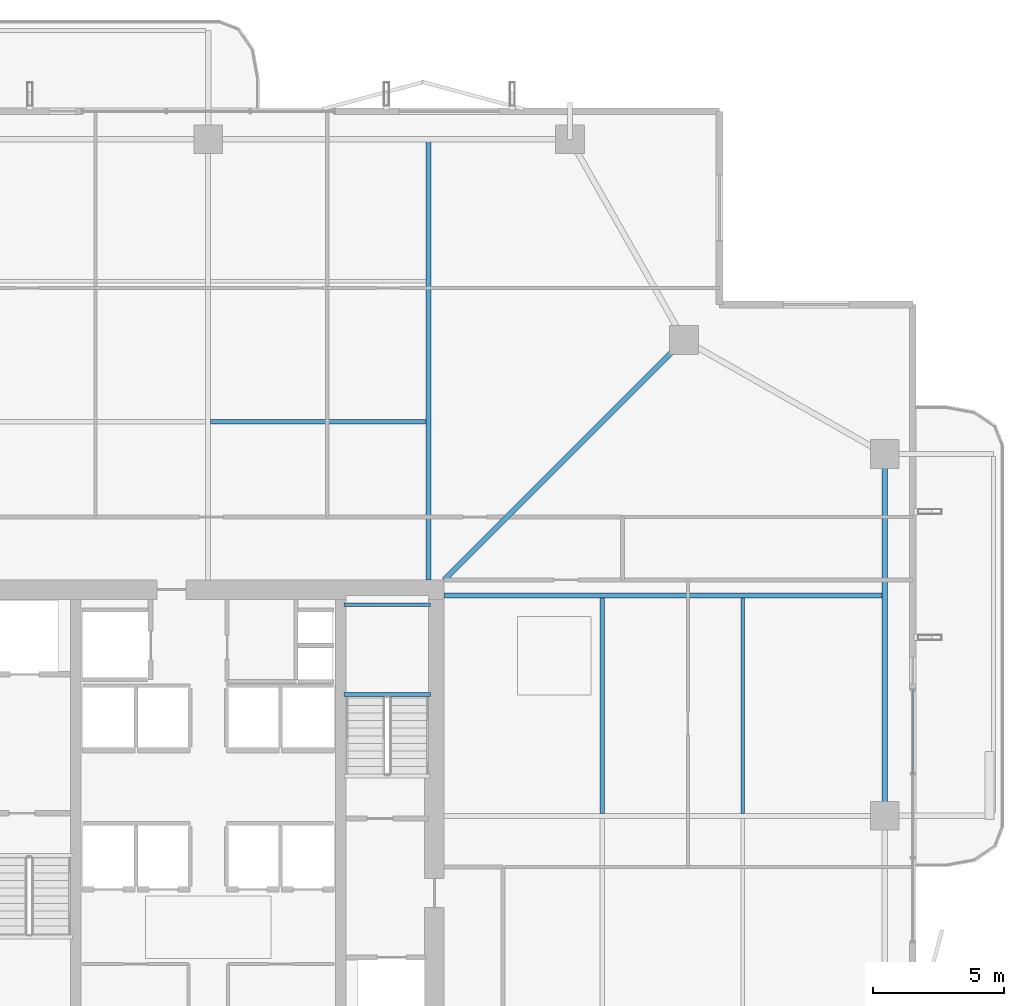
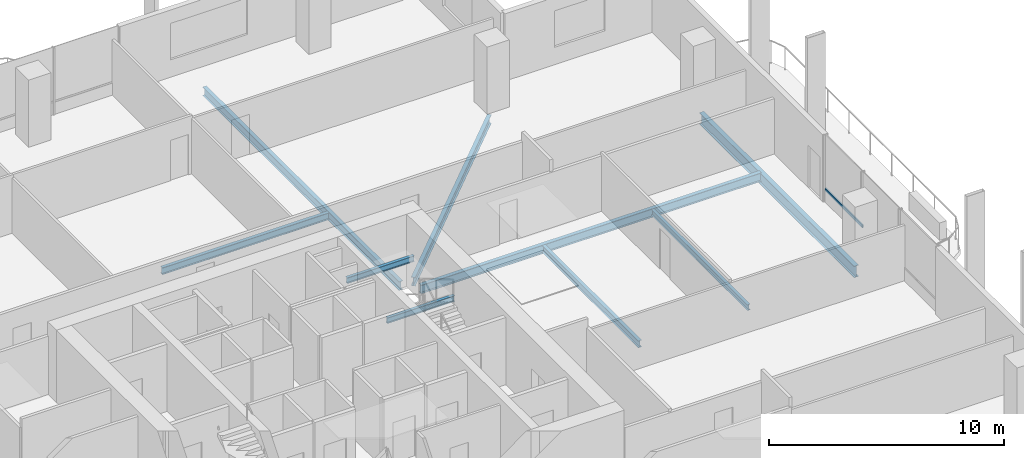
# One storey, part 12 of 24: 9 beams, 1 member, 1 element without a shape of its own.
"""IFC4 building model written with IfcOpenShell, lengths in metres."""

from ifc_helpers import new_model, si_unit, direction, frame, origin, origin_2d, place, context, subcontext, project, spatial, hollow_rectangle, i_section, extrude, material, layer, layer_set, material_profile, profile_set, type_object, element, aggregate, save


model = new_model("IFC4")

# Units and contexts
model_context = context("Model", 3, precision=1e-05, world=origin(), true_north=direction((0.0, 1.0)))
body_context = subcontext(model_context, "Body", "Model", "MODEL_VIEW")
ifc_project = project(units=[si_unit("LENGTHUNIT", "METRE"), si_unit("AREAUNIT", "SQUARE_METRE"), si_unit("VOLUMEUNIT", "CUBIC_METRE"), si_unit("PLANEANGLEUNIT", "RADIAN"), si_unit("MASSUNIT", "GRAM", prefix="KILO")], contexts=[model_context])

# Site, building, storey
site_placement = place(None, origin())
site = spatial("IfcSite", under=ifc_project, at=site_placement, CompositionType="ELEMENT")
building_placement = place(site_placement, origin())
building = spatial("IfcBuilding", under=site, at=building_placement, Name="Belovzor Exchange Tower", CompositionType="ELEMENT")
storey_placement = place(building_placement, frame((0.0, 0.0, 203.699951171875)))
storey = spatial("IfcBuildingStorey", under=building, at=storey_placement, Name="L50", CompositionType="ELEMENT", Elevation=203.699951171875)

# Beams
ifc_material_1 = material(Name="Steel S355", Category="steel")
ifc_material_profile_1 = material_profile(ifc_material_1, i_section(OverallWidth=0.169921875, OverallDepth=0.360107421875, WebThickness=0.008056640625, FlangeThickness=0.0126953125, at=origin_2d()))
ifc_profile_set_1 = profile_set([ifc_material_profile_1], Name="Steel S355")
beam_type_1 = type_object("IfcBeamType", Name="Secondary Infill Floor Joist IPE 360", PredefinedType="BEAM", material=ifc_profile_set_1)
for number, where, z_axis, x_axis, name in (
    (1, (28.89501953125, 43.827880859375, -0.429931640625), (1.0, 0.0, 0.0), (0.0, 1.0, 0.0), "FJ-360 Secondary Infill Floor Joist IPE 360"),
    (2, (43.827880859375, 28.89501953125, -0.429931640625), (0.0, 1.0, 0.0), (-1.0, 0.0, 0.0), "FJ-360 Secondary Infill Floor Joist IPE 360"),
):
    element("IfcBeam", number, at=place(storey_placement, frame(where, z_axis=z_axis, x_axis=x_axis)), inside=storey, type_object=beam_type_1, Name=name, PredefinedType="BEAM", context=body_context, shape_type="SweptSolid", body=[
        extrude(i_section(OverallWidth=0.169921875, OverallDepth=0.360107421875, WebThickness=0.008056640625, FlangeThickness=0.0126953125, at=origin_2d()), origin(), (0.0, 0.0, 1.0), 8.2099609375),
    ])
ifc_material_2 = material(Name="Steel S355", Category="steel")
ifc_material_profile_2 = material_profile(ifc_material_2, i_section(OverallWidth=0.14990234375, OverallDepth=0.300048828125, WebThickness=0.007080078125, FlangeThickness=0.0107421875, at=origin_2d()))
ifc_profile_set_2 = profile_set([ifc_material_profile_2], Name="Steel S355")
beam_type_2 = type_object("IfcBeamType", Name="Secondary Trim Floor Joist IPE 300", PredefinedType="BEAM", material=ifc_profile_set_2)
for number, where, z_axis, x_axis, name in (
    (3, (37.280029296875, 33.419921875, 1.525146484375), (-1.0, 0.0, 0.0), (0.0, -1.0, 0.0), "FJ-300 Secondary Trim Floor Joist IPE 300"),
    (4, (37.280029296875, 36.85009765625, 1.525146484375), (-1.0, 0.0, 0.0), (0.0, -1.0, 0.0), "FJ-300 Secondary Trim Floor Joist IPE 300"),
):
    element("IfcBeam", number, at=place(storey_placement, frame(where, z_axis=z_axis, x_axis=x_axis)), inside=storey, type_object=beam_type_2, Name=name, PredefinedType="BEAM", context=body_context, shape_type="SweptSolid", body=[
        extrude(i_section(OverallWidth=0.14990234375, OverallDepth=0.300048828125, WebThickness=0.007080078125, FlangeThickness=0.0107421875, at=origin_2d()), origin(), (0.0, 0.0, 1.0), 3.31005859375),
    ])
beam_1_placement = place(storey_placement, frame((49.18701171875, 28.89501953125, -0.39990234375), z_axis=(0.0, 1.0, 0.0), x_axis=(-1.0, 0.0, 0.0)))
element("IfcBeam", 5, at=beam_1_placement, inside=storey, type_object=beam_type_2, Name="FJ-300 Secondary Trim Floor Joist IPE 300", PredefinedType="BEAM", context=body_context, shape_type="SweptSolid", body=[
    extrude(i_section(OverallWidth=0.14990234375, OverallDepth=0.300048828125, WebThickness=0.007080078125, FlangeThickness=0.0107421875, at=origin_2d()), origin(), (0.0, 0.0, 1.0), 8.2099609375),
])

# Curtain wall, member
ifc_material_3 = material(Name="Anodised Aluminium Framing", Category="aluminium")
ifc_layer = layer(ifc_material_3, 0.179931640625)
ifc_layer_set = layer_set([ifc_layer], Name="Anodised Aluminium Framing")
curtain_wall_type = type_object("IfcCurtainWallType", Name="Recessed Loggia Low-Iron Triple-Glazed Curtain Wall", PredefinedType="NOTDEFINED", material=ifc_layer_set)
curtain_wall_placement = place(storey_placement, origin())
curtain_wall = element("IfcCurtainWall", 6, at=curtain_wall_placement, inside=storey, type_object=curtain_wall_type, Name="CW3 Recessed Loggia Low-Iron Triple-Glazed Curtain Wall L50", PredefinedType="NOTDEFINED")
ifc_material_4 = material(Name="Steel S355", Category="steel")
ifc_material_profile_3 = material_profile(ifc_material_4, hollow_rectangle(XDim=0.06005859375, YDim=0.14990234375, WallThickness=0.00390625, at=origin_2d()))
ifc_profile_set_3 = profile_set([ifc_material_profile_3], Name="Steel S355")
member_type = type_object("IfcMemberType", Name="Thermally Broken Curtain Wall Transom 150x60", PredefinedType="USERDEFINED", material=ifc_profile_set_3)
member_placement = place(storey_placement, frame((55.669921875, 33.592041015625, 0.630126953125), z_axis=(0.0, -1.0, 0.0), x_axis=(1.0, 0.0, 0.0)))
member = element("IfcMember", 7, at=member_placement, type_object=member_type, Name="CW-T150 Curtain Wall Transom 1", ObjectType="TRANSOM", PredefinedType="USERDEFINED", context=body_context, shape_type="SweptSolid", body=[
    extrude(hollow_rectangle(XDim=0.06005859375, YDim=0.14990234375, WallThickness=0.00390625, at=origin_2d()), origin(), (0.0, 0.0, 1.0), 3.18408203125),
])
aggregate(curtain_wall, [member])

# Beams
ifc_material_5 = material(Name="Steel S355", Category="steel")
ifc_material_profile_4 = material_profile(ifc_material_5, i_section(OverallWidth=0.18994140625, OverallDepth=0.449951171875, WebThickness=0.009521484375, FlangeThickness=0.0146484375, at=origin_2d()))
ifc_profile_set_4 = profile_set([ifc_material_profile_4], Name="Steel S355")
beam_type_3 = type_object("IfcBeamType", Name="Zone 2-4 Radial Composite Floor Beam IPE 450", PredefinedType="BEAM", material=ifc_profile_set_4)
for number, where, z_axis, x_axis, name in (
    (8, (37.199951171875, 37.800048828125, -0.474853515625), (0.0, 1.0, 0.0), (-1.0, 0.0, 0.0), "FB-450 Zone 2-4 Radial Composite Floor Beam IPE 450"),
    (9, (37.800048828125, 37.199951171875, -0.474853515625), (1.0, 0.0, 0.0), (0.0, 1.0, 0.0), "FB-450 Zone 2-4 Radial Composite Floor Beam IPE 450"),
):
    element("IfcBeam", number, at=place(storey_placement, frame(where, z_axis=z_axis, x_axis=x_axis)), inside=storey, type_object=beam_type_3, Name=name, PredefinedType="BEAM", context=body_context, shape_type="SweptSolid", body=[
        extrude(i_section(OverallWidth=0.18994140625, OverallDepth=0.449951171875, WebThickness=0.009521484375, FlangeThickness=0.0146484375, at=origin_2d()), origin(), (0.0, 0.0, 1.0), 16.744873046875),
    ])
beam_2_placement = place(storey_placement, frame((37.800048828125, 37.800048828125, -0.474853515625), z_axis=(0.707106781187, 0.707106781187, 0.0), x_axis=(-0.707106781187, 0.707106781187, 0.0)))
element("IfcBeam", 10, at=beam_2_placement, inside=storey, type_object=beam_type_3, Name="FB-450 Zone 2-4 Radial Composite Floor Beam IPE 450", PredefinedType="BEAM", context=body_context, shape_type="SweptSolid", body=[
    extrude(i_section(OverallWidth=0.18994140625, OverallDepth=0.449951171875, WebThickness=0.009521484375, FlangeThickness=0.0146484375, at=origin_2d()), origin(), (0.0, 0.0, 1.0), 12.551025390625),
])
ifc_material_6 = material(Name="Steel S355", Category="steel")
ifc_material_profile_5 = material_profile(ifc_material_6, i_section(OverallWidth=0.219970703125, OverallDepth=0.60009765625, WebThickness=0.011962890625, FlangeThickness=0.01904296875, at=origin_2d()))
ifc_profile_set_5 = profile_set([ifc_material_profile_5], Name="Steel S355")
beam_type_4 = type_object("IfcBeamType", Name="Zone 4 Flare Primary Girder IPE 600", PredefinedType="BEAM", material=ifc_profile_set_5)
beam_3_placement = place(storey_placement, frame((54.60009765625, 29.10205078125, -0.550048828125), z_axis=(0.0, 1.0, 0.0), x_axis=(-1.0, 0.0, 0.0)))
element("IfcBeam", 11, at=beam_3_placement, inside=storey, type_object=beam_type_4, Name="FG-Z4 Zone 4 Flare Primary Girder IPE 600", PredefinedType="BEAM", context=body_context, shape_type="SweptSolid", body=[
    extrude(i_section(OverallWidth=0.219970703125, OverallDepth=0.60009765625, WebThickness=0.011962890625, FlangeThickness=0.01904296875, at=origin_2d()), origin(), (0.0, 0.0, 1.0), 13.195068359375),
])

save(model, "model.ifc")
